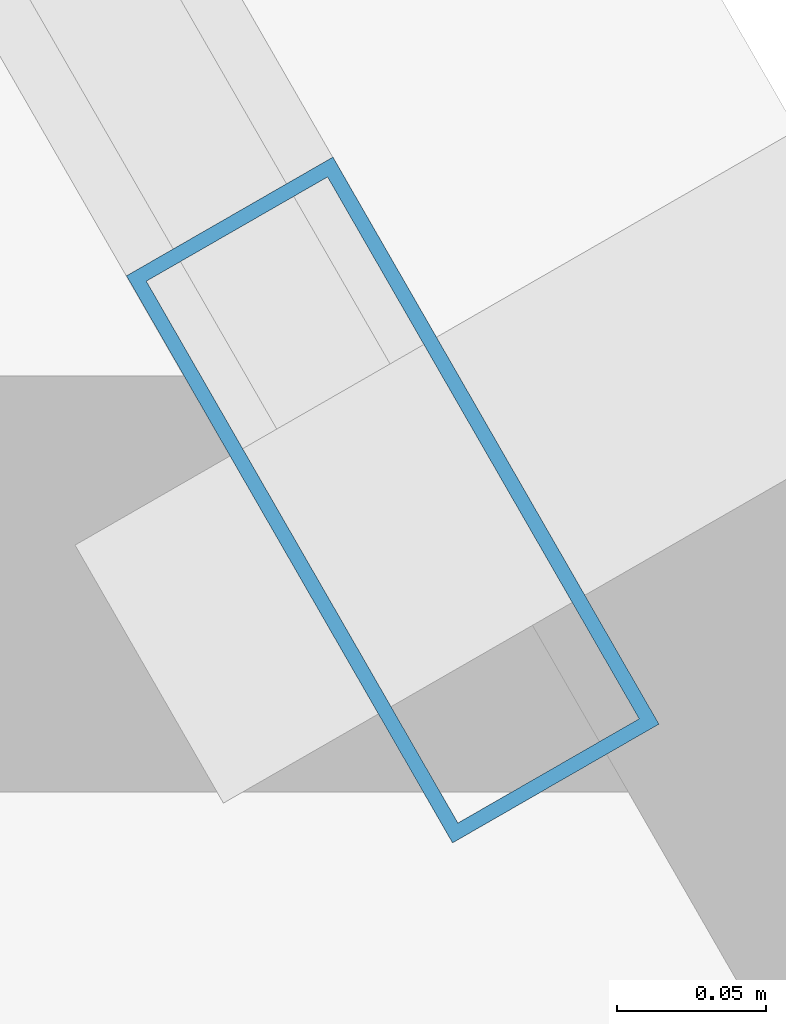
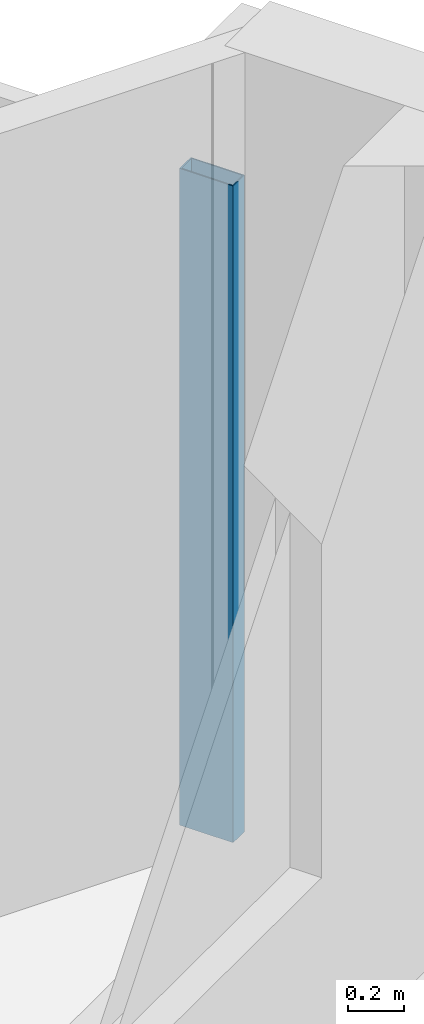
# One storey, part 21 of 33: 1 member, 1 element without a shape of its own.
"""IFC4 building model written with IfcOpenShell, lengths in metres."""

from ifc_helpers import new_model, si_unit, direction, frame, origin, origin_2d, place, context, subcontext, project, spatial, hollow_rectangle, extrude, material, material_profile, profile_set, type_object, element, aggregate, save


model = new_model("IFC4")

# Units and contexts
model_context = context("Model", 3, precision=1e-05, world=origin(), true_north=direction((0.0, 1.0)))
body_context = subcontext(model_context, "Body", "Model", "MODEL_VIEW")
ifc_project = project(units=[si_unit("LENGTHUNIT", "METRE"), si_unit("AREAUNIT", "SQUARE_METRE"), si_unit("VOLUMEUNIT", "CUBIC_METRE"), si_unit("PLANEANGLEUNIT", "RADIAN"), si_unit("MASSUNIT", "GRAM", prefix="KILO")], contexts=[model_context])

# Site, building, storey
site_placement = place(None, origin())
site = spatial("IfcSite", under=ifc_project, at=site_placement, CompositionType="ELEMENT")
building_placement = place(site_placement, origin())
building = spatial("IfcBuilding", under=site, at=building_placement, Name="Haldenkirk Collegiate Tower", CompositionType="ELEMENT")
storey_placement = place(building_placement, frame((0.0, 0.0, 127.949951171875)))
storey = spatial("IfcBuildingStorey", under=building, at=storey_placement, Name="L31", CompositionType="ELEMENT", Elevation=127.949951171875)

# Curtain wall, member
ifc_material = material(Name="Anodised architectural bronze aluminium", Category="aluminium")
curtain_wall_type = type_object("IfcCurtainWallType", Name="CW-SYS1-CONVEX-LOW", PredefinedType="USERDEFINED", material=ifc_material)
curtain_wall_placement = place(storey_placement, origin())
curtain_wall = element("IfcCurtainWall", 1, at=curtain_wall_placement, inside=storey, type_object=curtain_wall_type, Name="L31 Lower tower convex bronze-framed unitised curtain wall", ObjectType="UNITISED CURTAIN WALL", PredefinedType="USERDEFINED")
ifc_material_profile = material_profile(ifc_material, hollow_rectangle(XDim=0.080078125, YDim=0.219970703125, WallThickness=0.0048828125, at=origin_2d()), Name="CW-MUL-1A")
ifc_profile_set = profile_set([ifc_material_profile], Name="Anodised architectural bronze aluminium")
member_type = type_object("IfcMemberType", Name="CW-MUL-1A", PredefinedType="MULLION", material=ifc_profile_set)
member_placement = place(storey_placement, frame((67.780029296875, 22.0283203125, 0.0), z_axis=(0.0, 0.0, 1.0), x_axis=(0.866895687259, 0.498489586061, 0.0)))
member = element("IfcMember", 2, at=member_placement, type_object=member_type, Name="CW-1A mullion 5", PredefinedType="MULLION", context=body_context, shape_type="SweptSolid", body=[
    extrude(hollow_rectangle(XDim=0.080078125, YDim=0.219970703125, WallThickness=0.0048828125, at=origin_2d()), origin(), (0.0, 0.0, 1.0), 2.85107421875),
])
aggregate(curtain_wall, [member])

save(model, "model.ifc")
